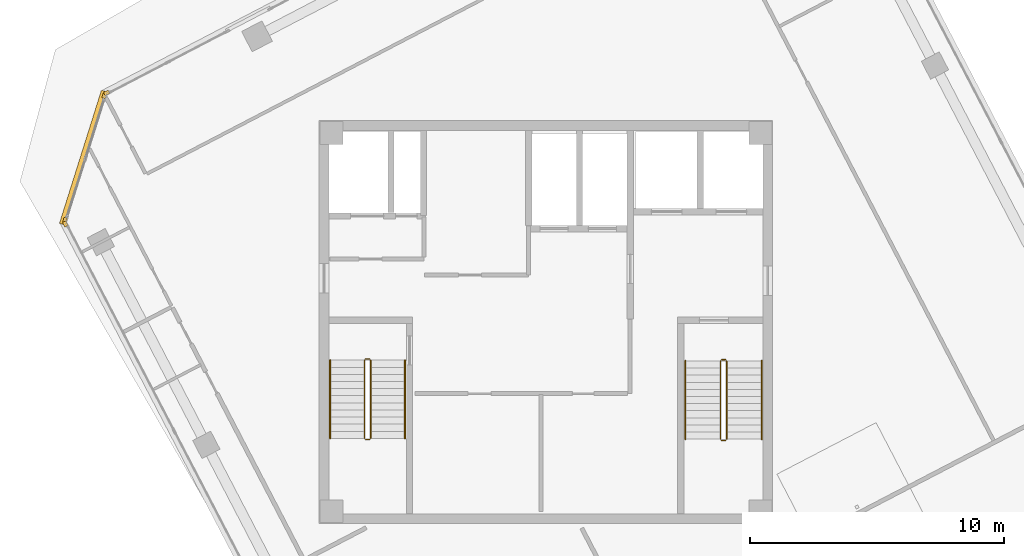
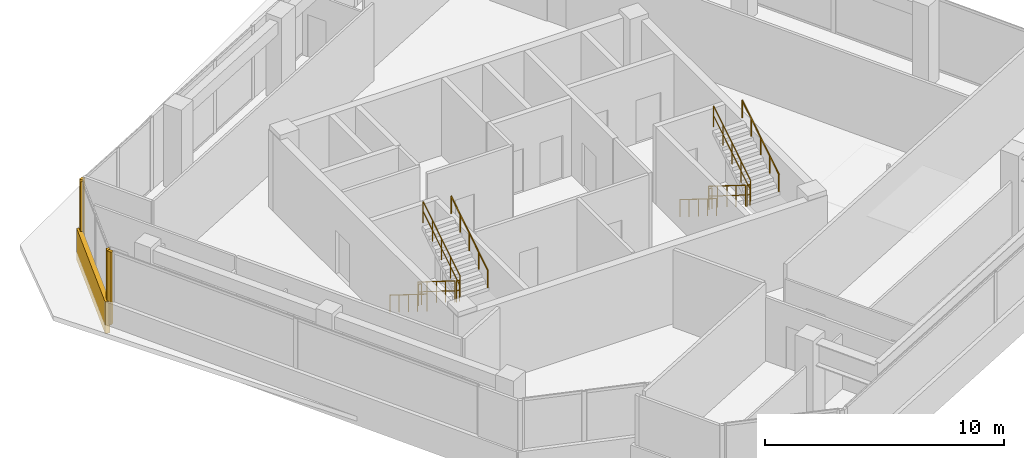
# One storey, part 15 of 16: 12 railings, 5 coverings.
"""IFC4 building model written with IfcOpenShell, lengths in metres."""

from ifc_helpers import new_model, si_unit, direction, frame, origin, origin_2d, place, context, subcontext, project, spatial, rectangle, circle, extrude, source, transform, mapped, material, layer, layer_set, type_object, element, save


model = new_model("IFC4")

# Units and contexts
model_context = context("Model", 3, precision=1e-05, world=origin(), true_north=direction((0.0, 1.0)))
body_context = subcontext(model_context, "Body", "Model", "MODEL_VIEW")
ifc_project = project(units=[si_unit("LENGTHUNIT", "METRE"), si_unit("AREAUNIT", "SQUARE_METRE"), si_unit("VOLUMEUNIT", "CUBIC_METRE"), si_unit("PLANEANGLEUNIT", "RADIAN"), si_unit("MASSUNIT", "GRAM", prefix="KILO")], contexts=[model_context])

# Site, building, storey
site_placement = place(None, origin())
site = spatial("IfcSite", under=ifc_project, at=site_placement, CompositionType="ELEMENT")
building_placement = place(site_placement, origin())
building = spatial("IfcBuilding", under=site, at=building_placement, Name="Torre Montelarca", CompositionType="ELEMENT")
storey_placement = place(building_placement, frame((0.0, 0.0, 328.199951171875)))
storey = spatial("IfcBuildingStorey", under=building, at=storey_placement, Name="L74", CompositionType="ELEMENT", Elevation=328.199951171875)

# Railings
ifc_material_1 = material(Name="Powder-coated steel ASTM A500 Grade C", Category="steel")
railing_type_1 = type_object("IfcRailingType", Name="RL-GUARD-1100", PredefinedType="BALUSTRADE", material=ifc_material_1)
railing_1_placement = place(storey_placement, frame((10.85009765625, 30.5, 0.175048828125)))
element("IfcRailing", 1, at=railing_1_placement, inside=storey, type_object=railing_type_1, Name="L74 ST1 stair guard 1", PredefinedType="BALUSTRADE", context=body_context, shape_type="SweptSolid", body=[
    extrude(circle(Radius=0.02392578125, at=origin_2d()), frame((0.0, 0.0, 1.076171875), z_axis=(0.0, -0.847998304005, 0.529998940003), x_axis=(1.0, 0.0, 0.0)), (0.0, 0.0, 1.0), 3.632080078125),
    extrude(circle(Radius=0.02099609375, at=origin_2d()), frame((0.0, 0.0, 0.572021484375), z_axis=(0.0, -0.847998304005, 0.529998940003), x_axis=(1.0, 0.0, 0.0)), (0.0, 0.0, 1.0), 3.632080078125),
    extrude(circle(Radius=0.02099609375, at=origin_2d()), origin(), (0.0, 0.0, 1.0), 1.052001953125),
    extrude(circle(Radius=0.02099609375, at=origin_2d()), frame((0.0, -0.77001953125, 0.481201171875)), (0.0, 0.0, 1.0), 1.052001953125),
    extrude(circle(Radius=0.02099609375, at=origin_2d()), frame((0.0, -1.5400390625, 0.96240234375)), (0.0, 0.0, 1.0), 1.052001953125),
    extrude(circle(Radius=0.02099609375, at=origin_2d()), frame((0.0, -2.31005859375, 1.44384765625)), (0.0, 0.0, 1.0), 1.052001953125),
    extrude(circle(Radius=0.02099609375, at=origin_2d()), frame((0.0, -3.080078125, 1.925048828125)), (0.0, 0.0, 1.0), 1.052001953125),
])
railing_2_placement = place(storey_placement, frame((10.89990234375, 27.3701171875, 2.10009765625)))
element("IfcRailing", 2, at=railing_2_placement, inside=storey, type_object=railing_type_1, Name="L74 ST1 stair guard 2", PredefinedType="BALUSTRADE", context=body_context, shape_type="SweptSolid", body=[
    extrude(circle(Radius=0.02392578125, at=origin_2d()), frame((0.0, 0.0, 1.076171875), z_axis=(1.0, 0.0, 0.0), x_axis=(0.0, 1.0, 0.0)), (0.0, 0.0, 1.0), 0.150146484375),
    extrude(circle(Radius=0.02099609375, at=origin_2d()), frame((0.0, 0.0, 0.572021484375), z_axis=(1.0, 0.0, 0.0), x_axis=(0.0, 1.0, 0.0)), (0.0, 0.0, 1.0), 0.150146484375),
    extrude(circle(Radius=0.02099609375, at=origin_2d()), origin(), (0.0, 0.0, 1.0), 1.052001953125),
    extrude(circle(Radius=0.02099609375, at=origin_2d()), frame((0.150146484375, 0.0, 0.0)), (0.0, 0.0, 1.0), 1.052001953125),
])
railing_3_placement = place(storey_placement, frame((11.10009765625, 27.419921875, 2.275146484375)))
element("IfcRailing", 3, at=railing_3_placement, inside=storey, type_object=railing_type_1, Name="L74 ST1 stair guard 3", PredefinedType="BALUSTRADE", context=body_context, shape_type="SweptSolid", body=[
    extrude(circle(Radius=0.02392578125, at=origin_2d()), frame((0.0, 0.0, 1.076171875), z_axis=(0.0, 0.848028513186, 0.529950602248), x_axis=(-1.0, 0.0, 0.0)), (0.0, 0.0, 1.0), 3.632080078125),
    extrude(circle(Radius=0.02099609375, at=origin_2d()), frame((0.0, 0.0, 0.572021484375), z_axis=(0.0, 0.848028513186, 0.529950602248), x_axis=(-1.0, 0.0, 0.0)), (0.0, 0.0, 1.0), 3.632080078125),
    extrude(circle(Radius=0.02099609375, at=origin_2d()), origin(), (0.0, 0.0, 1.0), 1.052001953125),
    extrude(circle(Radius=0.02099609375, at=origin_2d()), frame((0.0, 0.77001953125, 0.481201171875)), (0.0, 0.0, 1.0), 1.052001953125),
    extrude(circle(Radius=0.02099609375, at=origin_2d()), frame((0.0, 1.5400390625, 0.96240234375)), (0.0, 0.0, 1.0), 1.052001953125),
    extrude(circle(Radius=0.02099609375, at=origin_2d()), frame((0.0, 2.31005859375, 1.443603515625)), (0.0, 0.0, 1.0), 1.052001953125),
    extrude(circle(Radius=0.02099609375, at=origin_2d()), frame((0.0, 3.080078125, 1.9248046875)), (0.0, 0.0, 1.0), 1.052001953125),
])
railing_4_placement = place(storey_placement, frame((10.89990234375, 30.550048828125, 0.0)))
element("IfcRailing", 4, at=railing_4_placement, inside=storey, type_object=railing_type_1, Name="L74 ST1 stair guard 4", PredefinedType="BALUSTRADE", context=body_context, shape_type="SweptSolid", body=[
    extrude(circle(Radius=0.02392578125, at=origin_2d()), frame((0.0, 0.0, 1.076171875), z_axis=(1.0, 0.0, 0.0), x_axis=(0.0, 1.0, 0.0)), (0.0, 0.0, 1.0), 0.150146484375),
    extrude(circle(Radius=0.02099609375, at=origin_2d()), frame((0.0, 0.0, 0.572021484375), z_axis=(1.0, 0.0, 0.0), x_axis=(0.0, 1.0, 0.0)), (0.0, 0.0, 1.0), 0.150146484375),
    extrude(circle(Radius=0.02099609375, at=origin_2d()), origin(), (0.0, 0.0, 1.0), 1.052001953125),
    extrude(circle(Radius=0.02099609375, at=origin_2d()), frame((0.150146484375, 0.0, 0.0)), (0.0, 0.0, 1.0), 1.052001953125),
])
railing_5_placement = place(storey_placement, frame((24.8701171875, 30.469970703125, 0.175048828125)))
element("IfcRailing", 5, at=railing_5_placement, inside=storey, type_object=railing_type_1, Name="L74 ST2 stair guard 1", PredefinedType="BALUSTRADE", context=body_context, shape_type="SweptSolid", body=[
    extrude(circle(Radius=0.02392578125, at=origin_2d()), frame((0.0, 0.0, 1.076171875), z_axis=(0.0, -0.847998304005, 0.529998940003), x_axis=(1.0, 0.0, 0.0)), (0.0, 0.0, 1.0), 3.632080078125),
    extrude(circle(Radius=0.02099609375, at=origin_2d()), frame((0.0, 0.0, 0.572021484375), z_axis=(0.0, -0.847998304005, 0.529998940003), x_axis=(1.0, 0.0, 0.0)), (0.0, 0.0, 1.0), 3.632080078125),
    extrude(circle(Radius=0.02099609375, at=origin_2d()), origin(), (0.0, 0.0, 1.0), 1.052001953125),
    extrude(circle(Radius=0.02099609375, at=origin_2d()), frame((0.0, -0.77001953125, 0.481201171875)), (0.0, 0.0, 1.0), 1.052001953125),
    extrude(circle(Radius=0.02099609375, at=origin_2d()), frame((0.0, -1.5400390625, 0.96240234375)), (0.0, 0.0, 1.0), 1.052001953125),
    extrude(circle(Radius=0.02099609375, at=origin_2d()), frame((0.0, -2.31005859375, 1.44384765625)), (0.0, 0.0, 1.0), 1.052001953125),
    extrude(circle(Radius=0.02099609375, at=origin_2d()), frame((0.0, -3.080078125, 1.925048828125)), (0.0, 0.0, 1.0), 1.052001953125),
])
railing_6_placement = place(storey_placement, frame((24.919921875, 27.340087890625, 2.10009765625)))
element("IfcRailing", 6, at=railing_6_placement, inside=storey, type_object=railing_type_1, Name="L74 ST2 stair guard 2", PredefinedType="BALUSTRADE", context=body_context, shape_type="SweptSolid", body=[
    extrude(circle(Radius=0.02392578125, at=origin_2d()), frame((0.0, 0.0, 1.076171875), z_axis=(1.0, 0.0, 0.0), x_axis=(0.0, 1.0, 0.0)), (0.0, 0.0, 1.0), 0.150146484375),
    extrude(circle(Radius=0.02099609375, at=origin_2d()), frame((0.0, 0.0, 0.572021484375), z_axis=(1.0, 0.0, 0.0), x_axis=(0.0, 1.0, 0.0)), (0.0, 0.0, 1.0), 0.150146484375),
    extrude(circle(Radius=0.02099609375, at=origin_2d()), origin(), (0.0, 0.0, 1.0), 1.052001953125),
    extrude(circle(Radius=0.02099609375, at=origin_2d()), frame((0.150146484375, 0.0, 0.0)), (0.0, 0.0, 1.0), 1.052001953125),
])
railing_7_placement = place(storey_placement, frame((25.1201171875, 27.389892578125, 2.275146484375)))
element("IfcRailing", 7, at=railing_7_placement, inside=storey, type_object=railing_type_1, Name="L74 ST2 stair guard 3", PredefinedType="BALUSTRADE", context=body_context, shape_type="SweptSolid", body=[
    extrude(circle(Radius=0.02392578125, at=origin_2d()), frame((0.0, 0.0, 1.076171875), z_axis=(0.0, 0.848028513186, 0.529950602248), x_axis=(-1.0, 0.0, 0.0)), (0.0, 0.0, 1.0), 3.632080078125),
    extrude(circle(Radius=0.02099609375, at=origin_2d()), frame((0.0, 0.0, 0.572021484375), z_axis=(0.0, 0.848028513186, 0.529950602248), x_axis=(-1.0, 0.0, 0.0)), (0.0, 0.0, 1.0), 3.632080078125),
    extrude(circle(Radius=0.02099609375, at=origin_2d()), origin(), (0.0, 0.0, 1.0), 1.052001953125),
    extrude(circle(Radius=0.02099609375, at=origin_2d()), frame((0.0, 0.77001953125, 0.481201171875)), (0.0, 0.0, 1.0), 1.052001953125),
    extrude(circle(Radius=0.02099609375, at=origin_2d()), frame((0.0, 1.5400390625, 0.96240234375)), (0.0, 0.0, 1.0), 1.052001953125),
    extrude(circle(Radius=0.02099609375, at=origin_2d()), frame((0.0, 2.31005859375, 1.443603515625)), (0.0, 0.0, 1.0), 1.052001953125),
    extrude(circle(Radius=0.02099609375, at=origin_2d()), frame((0.0, 3.080078125, 1.9248046875)), (0.0, 0.0, 1.0), 1.052001953125),
])
railing_8_placement = place(storey_placement, frame((24.919921875, 30.52001953125, 0.0)))
element("IfcRailing", 8, at=railing_8_placement, inside=storey, type_object=railing_type_1, Name="L74 ST2 stair guard 4", PredefinedType="BALUSTRADE", context=body_context, shape_type="SweptSolid", body=[
    extrude(circle(Radius=0.02392578125, at=origin_2d()), frame((0.0, 0.0, 1.076171875), z_axis=(1.0, 0.0, 0.0), x_axis=(0.0, 1.0, 0.0)), (0.0, 0.0, 1.0), 0.150146484375),
    extrude(circle(Radius=0.02099609375, at=origin_2d()), frame((0.0, 0.0, 0.572021484375), z_axis=(1.0, 0.0, 0.0), x_axis=(0.0, 1.0, 0.0)), (0.0, 0.0, 1.0), 0.150146484375),
    extrude(circle(Radius=0.02099609375, at=origin_2d()), origin(), (0.0, 0.0, 1.0), 1.052001953125),
    extrude(circle(Radius=0.02099609375, at=origin_2d()), frame((0.150146484375, 0.0, 0.0)), (0.0, 0.0, 1.0), 1.052001953125),
])
ifc_material_2 = material(Name="Brushed stainless steel AISI 316", Category="steel")
railing_type_2 = type_object("IfcRailingType", Name="RL-HANDRAIL-900", PredefinedType="HANDRAIL", material=ifc_material_2)
railing_9_placement = place(storey_placement, frame((9.5, 30.5, 0.175048828125)))
element("IfcRailing", 9, at=railing_9_placement, inside=storey, type_object=railing_type_2, Name="L74 ST1 stair handrail 1", PredefinedType="HANDRAIL", context=body_context, shape_type="SweptSolid", body=[
    extrude(circle(Radius=0.02392578125, at=origin_2d()), frame((0.0, 0.0, 0.8759765625), z_axis=(0.0, -0.847998304005, 0.529998940003), x_axis=(1.0, 0.0, 0.0)), (0.0, 0.0, 1.0), 3.632080078125),
    extrude(circle(Radius=0.02099609375, at=origin_2d()), origin(), (0.0, 0.0, 1.0), 0.851806640625),
    extrude(circle(Radius=0.02099609375, at=origin_2d()), frame((0.0, -0.77001953125, 0.481201171875)), (0.0, 0.0, 1.0), 0.851806640625),
    extrude(circle(Radius=0.02099609375, at=origin_2d()), frame((0.0, -1.5400390625, 0.96240234375)), (0.0, 0.0, 1.0), 0.851806640625),
    extrude(circle(Radius=0.02099609375, at=origin_2d()), frame((0.0, -2.31005859375, 1.44384765625)), (0.0, 0.0, 1.0), 0.851806640625),
    extrude(circle(Radius=0.02099609375, at=origin_2d()), frame((0.0, -3.080078125, 1.925048828125)), (0.0, 0.0, 1.0), 0.851806640625),
])
railing_10_placement = place(storey_placement, frame((12.449951171875, 27.419921875, 2.275146484375)))
element("IfcRailing", 10, at=railing_10_placement, inside=storey, type_object=railing_type_2, Name="L74 ST1 stair handrail 2", PredefinedType="HANDRAIL", context=body_context, shape_type="SweptSolid", body=[
    extrude(circle(Radius=0.02392578125, at=origin_2d()), frame((0.0, 0.0, 0.8759765625), z_axis=(0.0, 0.848028513186, 0.529950602248), x_axis=(-1.0, 0.0, 0.0)), (0.0, 0.0, 1.0), 3.632080078125),
    extrude(circle(Radius=0.02099609375, at=origin_2d()), origin(), (0.0, 0.0, 1.0), 0.851806640625),
    extrude(circle(Radius=0.02099609375, at=origin_2d()), frame((0.0, 0.77001953125, 0.481201171875)), (0.0, 0.0, 1.0), 0.851806640625),
    extrude(circle(Radius=0.02099609375, at=origin_2d()), frame((0.0, 1.5400390625, 0.96240234375)), (0.0, 0.0, 1.0), 0.851806640625),
    extrude(circle(Radius=0.02099609375, at=origin_2d()), frame((0.0, 2.31005859375, 1.443603515625)), (0.0, 0.0, 1.0), 0.851806640625),
    extrude(circle(Radius=0.02099609375, at=origin_2d()), frame((0.0, 3.080078125, 1.9248046875)), (0.0, 0.0, 1.0), 0.851806640625),
])
railing_11_placement = place(storey_placement, frame((23.489990234375, 30.469970703125, 0.175048828125)))
element("IfcRailing", 11, at=railing_11_placement, inside=storey, type_object=railing_type_2, Name="L74 ST2 stair handrail 1", PredefinedType="HANDRAIL", context=body_context, shape_type="SweptSolid", body=[
    extrude(circle(Radius=0.02392578125, at=origin_2d()), frame((0.0, 0.0, 0.8759765625), z_axis=(0.0, -0.847998304005, 0.529998940003), x_axis=(1.0, 0.0, 0.0)), (0.0, 0.0, 1.0), 3.632080078125),
    extrude(circle(Radius=0.02099609375, at=origin_2d()), origin(), (0.0, 0.0, 1.0), 0.851806640625),
    extrude(circle(Radius=0.02099609375, at=origin_2d()), frame((0.0, -0.77001953125, 0.481201171875)), (0.0, 0.0, 1.0), 0.851806640625),
    extrude(circle(Radius=0.02099609375, at=origin_2d()), frame((0.0, -1.5400390625, 0.96240234375)), (0.0, 0.0, 1.0), 0.851806640625),
    extrude(circle(Radius=0.02099609375, at=origin_2d()), frame((0.0, -2.31005859375, 1.44384765625)), (0.0, 0.0, 1.0), 0.851806640625),
    extrude(circle(Radius=0.02099609375, at=origin_2d()), frame((0.0, -3.080078125, 1.925048828125)), (0.0, 0.0, 1.0), 0.851806640625),
])
railing_12_placement = place(storey_placement, frame((26.5, 27.389892578125, 2.275146484375)))
element("IfcRailing", 12, at=railing_12_placement, inside=storey, type_object=railing_type_2, Name="L74 ST2 stair handrail 2", PredefinedType="HANDRAIL", context=body_context, shape_type="SweptSolid", body=[
    extrude(circle(Radius=0.02392578125, at=origin_2d()), frame((0.0, 0.0, 0.8759765625), z_axis=(0.0, 0.848028513186, 0.529950602248), x_axis=(-1.0, 0.0, 0.0)), (0.0, 0.0, 1.0), 3.632080078125),
    extrude(circle(Radius=0.02099609375, at=origin_2d()), origin(), (0.0, 0.0, 1.0), 0.851806640625),
    extrude(circle(Radius=0.02099609375, at=origin_2d()), frame((0.0, 0.77001953125, 0.481201171875)), (0.0, 0.0, 1.0), 0.851806640625),
    extrude(circle(Radius=0.02099609375, at=origin_2d()), frame((0.0, 1.5400390625, 0.96240234375)), (0.0, 0.0, 1.0), 0.851806640625),
    extrude(circle(Radius=0.02099609375, at=origin_2d()), frame((0.0, 2.31005859375, 1.443603515625)), (0.0, 0.0, 1.0), 0.851806640625),
    extrude(circle(Radius=0.02099609375, at=origin_2d()), frame((0.0, 3.080078125, 1.9248046875)), (0.0, 0.0, 1.0), 0.851806640625),
])

# Coverings
ifc_material_3 = material(Name="Bush-hammered warm white precast concrete C45/55", Category="concrete")
ifc_layer = layer(ifc_material_3, 0.139892578125, Name="Bush-hammered warm white precast concrete C45/55", Category="concrete")
ifc_layer_set = layer_set([ifc_layer], Name="Bush-hammered warm white precast concrete C45/55")
covering_type = type_object("IfcCoveringType", Name="COV-TRAY-CLAD", PredefinedType="CLADDING", material=ifc_layer_set)
shared_shape_1 = source(origin(), body_context, "Body", "SweptSolid", [
    extrude(rectangle(XDim=0.199951171875, YDim=0.139892578125, at=origin_2d()), origin(), (0.0, 0.0, 1.0), 3.719970703125),
])
for number, where, z_axis, x_axis, name in (
    (13, (-0.9287109375, 35.864501953125, 0.0), (0.0, 0.0, 1.0), (0.461748613235, -0.887010833178, 0.0), "L74 Architectural Column Pier Cladding E01-1"),
    (14, (0.698486328125, 41.024658203125, 0.0), (0.0, 0.0, 1.0), (-0.887010833178, -0.461748613235, 0.0), "L74 Architectural Column Pier Cladding E10-5"),
    (15, (0.60498046875, 40.913330078125, 0.0), (0.0, 0.0, 1.0), (-0.30070080585, -0.953718525227, 0.0), "L74 Architectural Column Pier Cladding E11-1"),
    (16, (-0.941162109375, 36.009033203125, 0.0), (0.0, 0.0, 1.0), (-0.30070080585, -0.953718525227, 0.0), "L74 Architectural Column Pier Cladding E11-2"),
):
    element("IfcCovering", number, at=place(storey_placement, frame(where, z_axis=z_axis, x_axis=x_axis)), inside=storey, type_object=covering_type, Name=name, PredefinedType="CLADDING", context=body_context, shape_type="MappedRepresentation", body=[
        mapped(shared_shape_1, transform((0.0, 0.0, 0.0), scale=1.0)),
    ])
shared_shape_2 = source(origin(), body_context, "Body", "SweptSolid", [
    extrude(rectangle(XDim=5.493896484375, YDim=0.219970703125, at=origin_2d()), origin(), (0.0, 0.0, 1.0), 1.6201171875),
])
covering_placement = place(storey_placement, frame((-0.225341796875, 38.479248046875, -0.449951171875), z_axis=(0.0, 0.0, 1.0), x_axis=(-0.300705799504, -0.953716950748, 0.0)))
element("IfcCovering", 17, at=covering_placement, inside=storey, type_object=covering_type, Name="L74 Architectural White Spandrel Tray Band TRYBOT-11", PredefinedType="CLADDING", context=body_context, shape_type="MappedRepresentation", body=[
    mapped(shared_shape_2, transform((0.0, 0.0, 0.0), scale=1.0)),
])

save(model, "model.ifc")
